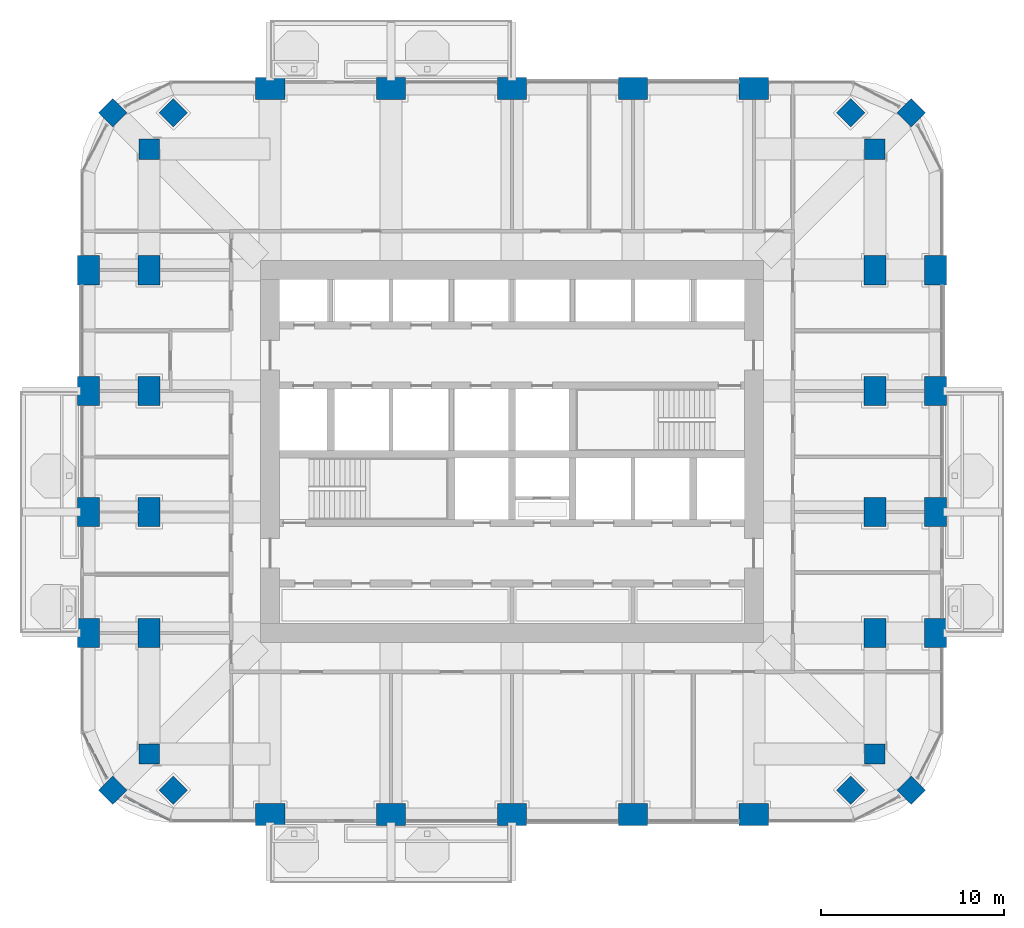
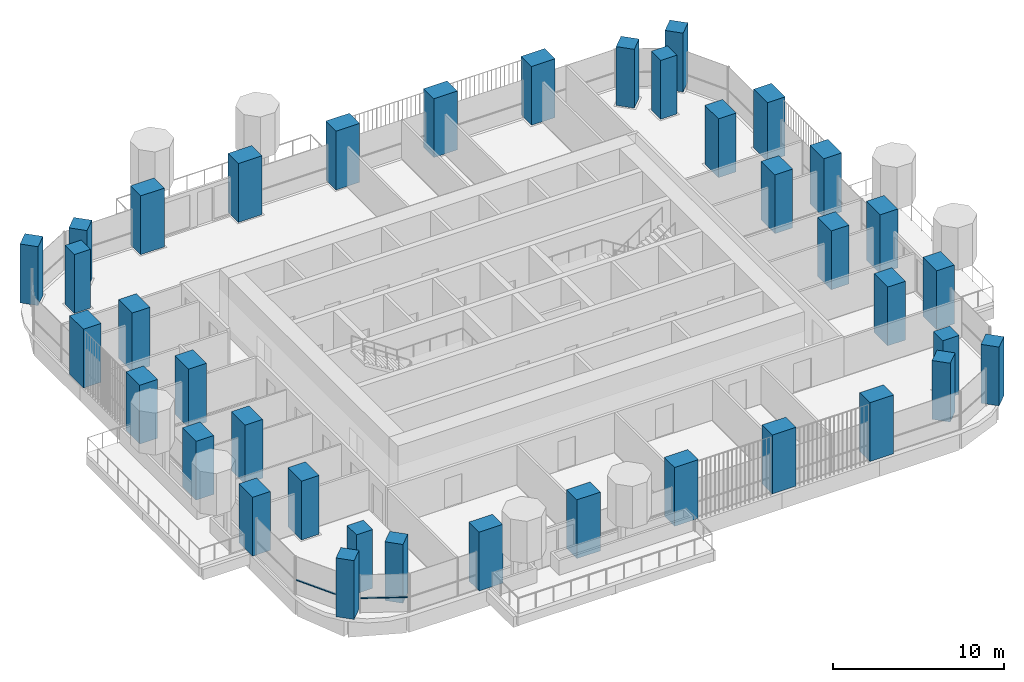
# One storey, part 1 of 20: 38 columns, 2 members, 2 elements without a shape of their own.
"""IFC4 building model written with IfcOpenShell, lengths in metres."""

from ifc_helpers import new_model, si_unit, direction, frame, origin, origin_2d, place, context, subcontext, project, spatial, rectangle, extrude, material, material_profile, profile_set, type_object, element, aggregate, save


model = new_model("IFC4")

# Units and contexts
model_context = context("Model", 3, precision=1e-05, world=origin(), true_north=direction((0.0, 1.0)))
body_context = subcontext(model_context, "Body", "Model", "MODEL_VIEW")
ifc_project = project(units=[si_unit("LENGTHUNIT", "METRE"), si_unit("AREAUNIT", "SQUARE_METRE"), si_unit("VOLUMEUNIT", "CUBIC_METRE"), si_unit("PLANEANGLEUNIT", "RADIAN"), si_unit("MASSUNIT", "GRAM", prefix="KILO")], contexts=[model_context])

# Site, building, storey
site_placement = place(None, origin())
site = spatial("IfcSite", under=ifc_project, at=site_placement, CompositionType="ELEMENT")
building_placement = place(site_placement, origin())
building = spatial("IfcBuilding", under=site, at=building_placement, Name="Cobogo Forest Laboratory Tower", CompositionType="ELEMENT")
storey_placement = place(building_placement, frame((0.0, 0.0, 185.10009765625)))
storey = spatial("IfcBuildingStorey", under=building, at=storey_placement, Name="L42", CompositionType="ELEMENT", Elevation=185.10009765625)

# Columns
ifc_material_1 = material(Name="Concrete HA-50 (C50/60)", Category="concrete")
ifc_material_profile_1 = material_profile(ifc_material_1, rectangle(XDim=1.60009765625, YDim=1.199951171875, at=origin_2d()), Name="RC 1200x1600")
ifc_profile_set_1 = profile_set([ifc_material_profile_1], Name="Concrete HA-50 (C50/60)")
column_type_1 = type_object("IfcColumnType", Name="Blade column 1200x1600", PredefinedType="COLUMN", material=ifc_profile_set_1)
for number, where, z_axis, x_axis, name in (
    (1, (13.199951171875, 3.300048828125, 0.0), (0.0, 0.0, 1.0), (1.0, 0.0, 0.0), "Column 3-A.1 L42"),
    (2, (19.800048828125, 3.300048828125, 0.0), (0.0, 0.0, 1.0), (1.0, 0.0, 0.0), "Column 4-A.1 L42"),
    (3, (26.39990234375, 3.300048828125, 0.0), (0.0, 0.0, 1.0), (1.0, 0.0, 0.0), "Column 5-A.1 L42"),
    (4, (33.0, 3.300048828125, 0.0), (0.0, 0.0, 1.0), (1.0, 0.0, 0.0), "Column 6-A.1 L42"),
    (5, (39.60009765625, 3.300048828125, 0.0), (0.0, 0.0, 1.0), (1.0, 0.0, 0.0), "Column 7-A.1 L42"),
    (6, (3.300048828125, 13.199951171875, 0.0), (0.0, 0.0, 1.0), (0.0, 1.0, 0.0), "Column 1.1-C L42"),
    (7, (49.5, 13.199951171875, 0.0), (0.0, 0.0, 1.0), (0.0, 1.0, 0.0), "Column 8.1-C L42"),
    (8, (3.300048828125, 19.800048828125, 0.0), (0.0, 0.0, 1.0), (0.0, 1.0, 0.0), "Column 1.1-D L42"),
    (9, (49.5, 19.800048828125, 0.0), (0.0, 0.0, 1.0), (0.0, 1.0, 0.0), "Column 8.1-D L42"),
    (10, (3.300048828125, 26.39990234375, 0.0), (0.0, 0.0, 1.0), (0.0, 1.0, 0.0), "Column 1.1-E L42"),
    (11, (49.5, 26.39990234375, 0.0), (0.0, 0.0, 1.0), (0.0, 1.0, 0.0), "Column 8.1-E L42"),
    (12, (3.300048828125, 33.0, 0.0), (0.0, 0.0, 1.0), (0.0, 1.0, 0.0), "Column 1.1-F L42"),
    (13, (49.5, 33.0, 0.0), (0.0, 0.0, 1.0), (0.0, 1.0, 0.0), "Column 8.1-F L42"),
    (14, (13.199951171875, 42.89990234375, 0.0), (0.0, 0.0, 1.0), (1.0, 0.0, 0.0), "Column 3-G.1 L42"),
    (15, (19.800048828125, 42.89990234375, 0.0), (0.0, 0.0, 1.0), (1.0, 0.0, 0.0), "Column 4-G.1 L42"),
    (16, (26.39990234375, 42.89990234375, 0.0), (0.0, 0.0, 1.0), (1.0, 0.0, 0.0), "Column 5-G.1 L42"),
    (17, (33.0, 42.89990234375, 0.0), (0.0, 0.0, 1.0), (1.0, 0.0, 0.0), "Column 6-G.1 L42"),
    (18, (39.60009765625, 42.89990234375, 0.0), (0.0, 0.0, 1.0), (1.0, 0.0, 0.0), "Column 7-G.1 L42"),
    (19, (6.60009765625, 13.199951171875, 0.0), (0.0, 0.0, 1.0), (0.0, 1.0, 0.0), "Column 2-C-D L42"),
    (20, (46.199951171875, 13.199951171875, 0.0), (0.0, 0.0, 1.0), (0.0, 1.0, 0.0), "Column 8-C-D L42"),
    (21, (6.60009765625, 19.800048828125, 0.0), (0.0, 0.0, 1.0), (0.0, 1.0, 0.0), "Column 2-D-D L42"),
    (22, (46.199951171875, 19.800048828125, 0.0), (0.0, 0.0, 1.0), (0.0, 1.0, 0.0), "Column 8-D-D L42"),
    (23, (6.60009765625, 26.39990234375, 0.0), (0.0, 0.0, 1.0), (0.0, 1.0, 0.0), "Column 2-E-D L42"),
    (24, (46.199951171875, 26.39990234375, 0.0), (0.0, 0.0, 1.0), (0.0, 1.0, 0.0), "Column 8-E-D L42"),
    (25, (6.60009765625, 33.0, 0.0), (0.0, 0.0, 1.0), (0.0, 1.0, 0.0), "Column 2-F-D L42"),
    (26, (46.199951171875, 33.0, 0.0), (0.0, 0.0, 1.0), (0.0, 1.0, 0.0), "Column 8-F-D L42"),
):
    element("IfcColumn", number, at=place(storey_placement, frame(where, z_axis=z_axis, x_axis=x_axis)), inside=storey, type_object=column_type_1, Name=name, PredefinedType="COLUMN", context=body_context, shape_type="SweptSolid", body=[
        extrude(rectangle(XDim=1.60009765625, YDim=1.199951171875, at=origin_2d()), origin(), (0.0, 0.0, 1.0), 4.199951171875),
    ])
ifc_material_profile_2 = material_profile(ifc_material_1, rectangle(XDim=1.10009765625, YDim=1.10009765625, at=origin_2d()), Name="RC 1100x1100")
ifc_profile_set_2 = profile_set([ifc_material_profile_2], Name="Concrete HA-50 (C50/60)")
column_type_2 = type_object("IfcColumnType", Name="Column 1100x1100", PredefinedType="COLUMN", material=ifc_profile_set_2)
for number, where, z_axis, x_axis, name in (
    (27, (4.617919921875, 4.617919921875, 0.0), (0.0, 0.0, 1.0), (0.707106781187, 0.707106781187, 0.0), "Column CNR-SW L42"),
    (28, (48.181884765625, 4.617919921875, 0.0), (0.0, 0.0, 1.0), (0.707106781187, 0.707106781187, 0.0), "Column CNR-SE L42"),
    (29, (4.617919921875, 41.58203125, 0.0), (0.0, 0.0, 1.0), (0.707106781187, 0.707106781187, 0.0), "Column CNR-NW L42"),
    (30, (48.181884765625, 41.58203125, 0.0), (0.0, 0.0, 1.0), (0.707106781187, 0.707106781187, 0.0), "Column CNR-NE L42"),
    (31, (6.60009765625, 6.60009765625, 0.0), (0.0, 0.0, 1.0), (1.0, 0.0, 0.0), "Column 2-B L42"),
    (32, (46.199951171875, 6.60009765625, 0.0), (0.0, 0.0, 1.0), (1.0, 0.0, 0.0), "Column 8-B L42"),
    (33, (6.60009765625, 39.60009765625, 0.0), (0.0, 0.0, 1.0), (1.0, 0.0, 0.0), "Column 2-G L42"),
    (34, (46.199951171875, 39.60009765625, 0.0), (0.0, 0.0, 1.0), (1.0, 0.0, 0.0), "Column 8-G L42"),
    (35, (7.91796875, 4.617919921875, 0.0), (0.0, 0.0, 1.0), (0.707106781187, 0.707106781187, 0.0), "Column CNR-SW-D L42"),
    (36, (44.882080078125, 4.617919921875, 0.0), (0.0, 0.0, 1.0), (0.707106781187, 0.707106781187, 0.0), "Column CNR-SE-D L42"),
    (37, (7.91796875, 41.58203125, 0.0), (0.0, 0.0, 1.0), (0.707106781187, 0.707106781187, 0.0), "Column CNR-NW-D L42"),
    (38, (44.882080078125, 41.58203125, 0.0), (0.0, 0.0, 1.0), (0.707106781187, 0.707106781187, 0.0), "Column CNR-NE-D L42"),
):
    element("IfcColumn", number, at=place(storey_placement, frame(where, z_axis=z_axis, x_axis=x_axis)), inside=storey, type_object=column_type_2, Name=name, PredefinedType="COLUMN", context=body_context, shape_type="SweptSolid", body=[
        extrude(rectangle(XDim=1.10009765625, YDim=1.10009765625, at=origin_2d()), origin(), (0.0, 0.0, 1.0), 4.199951171875),
    ])

# Curtain wall, member
ifc_material_2 = material(Name="Aluminium curtain wall", Category="aluminium")
curtain_wall_type = type_object("IfcCurtainWallType", Name="CW-2 unitised curtain wall, solar control glazing, laboratory floors zones C and D", PredefinedType="USERDEFINED", material=ifc_material_2)
curtain_wall_1_placement = place(storey_placement, origin())
curtain_wall_1 = element("IfcCurtainWall", 39, at=curtain_wall_1_placement, inside=storey, type_object=curtain_wall_type, Name="Curtain wall 29 L42", ObjectType="UNITISED CURTAIN WALL", PredefinedType="USERDEFINED")
ifc_material_3 = material(Name="Aluminium transom", Category="aluminium")
ifc_material_profile_3 = material_profile(ifc_material_3, rectangle(XDim=0.1201171875, YDim=0.06005859375, at=origin_2d()), Name="AL 60x120")
ifc_profile_set_3 = profile_set([ifc_material_profile_3], Name="Aluminium transom")
member_type = type_object("IfcMemberType", Name="TR-1 aluminium transom 60x120", PredefinedType="USERDEFINED", material=ifc_profile_set_3)
member_1_placement = place(storey_placement, frame((2.977783203125, 7.746826171875, 1.0498046875), z_axis=(0.464324225592, -0.885665294301, 0.0), x_axis=(0.885665294301, 0.464324225592, 0.0)))
member_1 = element("IfcMember", 40, at=member_1_placement, type_object=member_type, Name="CW-2 transom 1.1", ObjectType="TRANSOM", PredefinedType="USERDEFINED", context=body_context, shape_type="SweptSolid", body=[
    extrude(rectangle(XDim=0.1201171875, YDim=0.06005859375, at=origin_2d()), origin(), (0.0, 0.0, 1.0), 2.760498046875),
])
aggregate(curtain_wall_1, [member_1])

curtain_wall_2_placement = place(storey_placement, origin())
curtain_wall_2 = element("IfcCurtainWall", 41, at=curtain_wall_2_placement, inside=storey, type_object=curtain_wall_type, Name="Curtain wall 30 L42", ObjectType="UNITISED CURTAIN WALL", PredefinedType="USERDEFINED")
member_2_placement = place(storey_placement, frame((5.302001953125, 4.259521484375, 1.0498046875), z_axis=(0.885665294301, -0.464324225592, 0.0), x_axis=(0.464324225592, 0.885665294301, 0.0)))
member_2 = element("IfcMember", 42, at=member_2_placement, type_object=member_type, Name="CW-2 transom 1.1", ObjectType="TRANSOM", PredefinedType="USERDEFINED", context=body_context, shape_type="SweptSolid", body=[
    extrude(rectangle(XDim=0.1201171875, YDim=0.06005859375, at=origin_2d()), origin(), (0.0, 0.0, 1.0), 2.760498046875),
])
aggregate(curtain_wall_2, [member_2])

save(model, "model.ifc")
